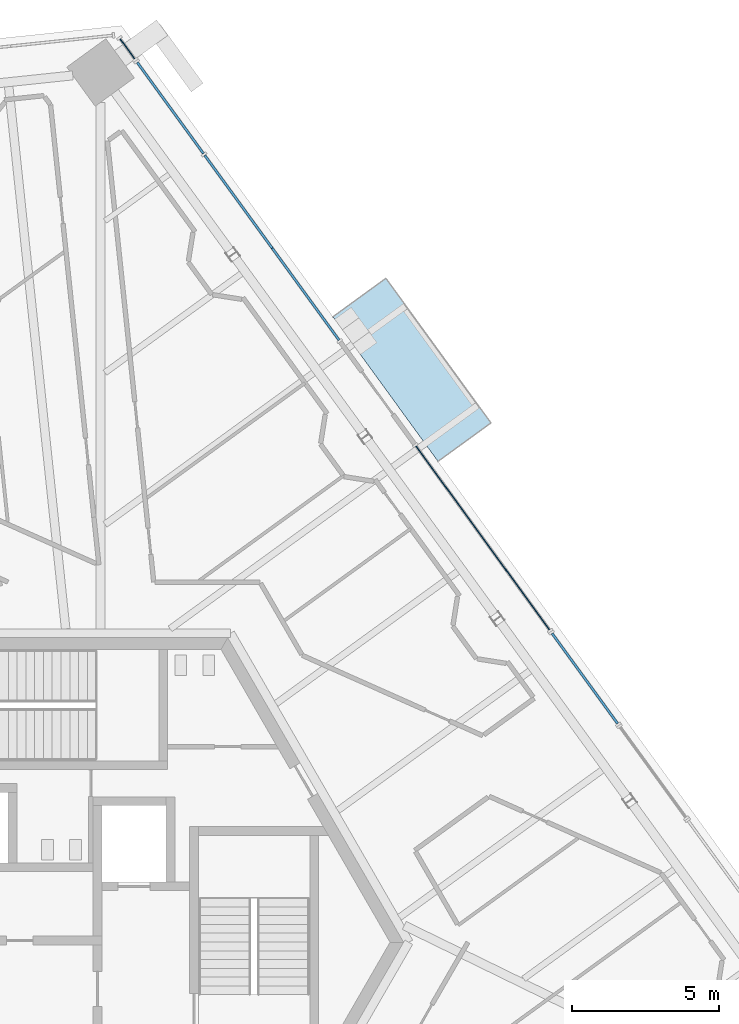
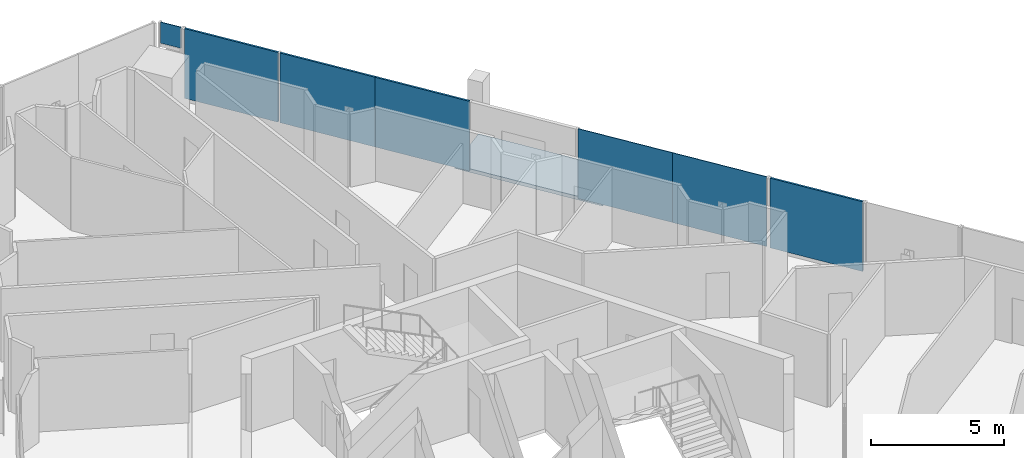
# One storey, part 14 of 26: 7 plates, 1 slab, 4 elements without a shape of their own.
"""IFC4 building model written with IfcOpenShell, lengths in metres."""

from ifc_helpers import new_model, si_unit, direction, frame, origin, origin_2d, place, context, subcontext, project, spatial, polyline, rectangle, outline, extrude, source, transform, mapped, material, layer, layer_set, type_object, element, aggregate, save


model = new_model("IFC4")

# Units and contexts
model_context = context("Model", 3, precision=1e-05, world=origin(), true_north=direction((0.0, 1.0)))
body_context = subcontext(model_context, "Body", "Model", "MODEL_VIEW")
ifc_project = project(units=[si_unit("LENGTHUNIT", "METRE"), si_unit("AREAUNIT", "SQUARE_METRE"), si_unit("VOLUMEUNIT", "CUBIC_METRE"), si_unit("PLANEANGLEUNIT", "RADIAN"), si_unit("MASSUNIT", "GRAM", prefix="KILO")], contexts=[model_context])

# Site, building, storey
site_placement = place(None, origin())
site = spatial("IfcSite", under=ifc_project, at=site_placement, CompositionType="ELEMENT")
building_placement = place(site_placement, origin())
building = spatial("IfcBuilding", under=site, at=building_placement, Name="Triune Harvest Tower", CompositionType="ELEMENT")
storey_placement = place(building_placement, frame((0.0, 0.0, 252.10009765625)))
storey = spatial("IfcBuildingStorey", under=building, at=storey_placement, Name="L66", CompositionType="ELEMENT", Elevation=252.10009765625)

# Slab
ifc_material_1 = material(Name="Concrete 40 MPa", Category="concrete")
ifc_layer_1 = layer(ifc_material_1, 0.159912109375)
ifc_layer_set_1 = layer_set([ifc_layer_1], Name="Concrete 40 MPa")
slab_type = type_object("IfcSlabType", Name="BA-1 balcony slab 160", PredefinedType="FLOOR", material=ifc_layer_set_1)
slab_placement = place(storey_placement, frame((0.0, 0.0, -0.16015625)))
element("IfcSlab", 1, at=slab_placement, inside=storey, type_object=slab_type, Name="Balcony slab B6-F1 L66.8", PredefinedType="FLOOR", context=body_context, shape_type="SweptSolid", body=[
    extrude(outline(polyline([(13.173583984375, 16.41064453125), (9.58837890625, 21.34521484375), (11.39599609375, 22.65869140625), (14.981201171875, 17.72412109375), (13.173583984375, 16.41064453125)])), origin(), (0.0, 0.0, 1.0), 0.16015625),
])

# Curtain wall, plate
ifc_material_2 = material(Name="Aluminium bronze anodised", Category="aluminium")
curtain_wall_type_1 = type_object("IfcCurtainWallType", Name="CW-10 Balcony window wall with insulated spandrel infill", PredefinedType="NOTDEFINED", material=ifc_material_2)
curtain_wall_1_placement = place(storey_placement, origin())
curtain_wall_1 = element("IfcCurtainWall", 2, at=curtain_wall_1_placement, inside=storey, type_object=curtain_wall_type_1, Name="CW-10 B6-F1 L66 run 2201")
ifc_material_3 = material(Name="Insulated spandrel panel, bronze aluminium pan", Category="aluminium")
ifc_layer_2 = layer(ifc_material_3, 0.080078125)
ifc_layer_set_2 = layer_set([ifc_layer_2], Name="Insulated spandrel panel, bronze aluminium pan")
plate_type_1 = type_object("IfcPlateType", Name="SP-1 insulated spandrel panel 80", PredefinedType="CURTAIN_PANEL", material=ifc_layer_set_2)
plate_1_placement = place(storey_placement, frame((18.186279296875, 9.00048828125, 0.14990234375), z_axis=(0.0, 0.0, 1.0), x_axis=(-0.587792593784, 0.809011660418, 0.0)))
plate_1 = element("IfcPlate", 3, at=plate_1_placement, type_object=plate_type_1, Name="CW-10 panel B6-F1 2201.1", PredefinedType="CURTAIN_PANEL", context=body_context, shape_type="SweptSolid", body=[
    extrude(rectangle(XDim=3.802978515625, YDim=0.080078125, at=origin_2d()), origin(), (0.0, 0.0, 1.0), 3.199951171875),
])
aggregate(curtain_wall_1, [plate_1])

# Curtain wall, plates
curtain_wall_2_placement = place(storey_placement, origin())
curtain_wall_2 = element("IfcCurtainWall", 4, at=curtain_wall_2_placement, inside=storey, type_object=curtain_wall_type_1, Name="CW-10 B6-F1 L66 run 2")
plate_2_placement = place(storey_placement, frame((8.65625, 22.11767578125, 0.14990234375), z_axis=(0.0, 0.0, 1.0), x_axis=(-0.587782163197, 0.809019238725, 0.0)))
plate_2 = element("IfcPlate", 5, at=plate_2_placement, type_object=plate_type_1, Name="CW-10 panel B6-F1 2.1", PredefinedType="CURTAIN_PANEL", context=body_context, shape_type="SweptSolid", body=[
    extrude(rectangle(XDim=3.879150390625, YDim=0.080078125, at=origin_2d()), origin(), (0.0, 0.0, 1.0), 3.199951171875),
])
plate_3_placement = place(storey_placement, frame((6.365234375, 25.27099609375, 0.14990234375), z_axis=(0.0, 0.0, 1.0), x_axis=(-0.587782163197, 0.809019238725, 0.0)))
plate_3 = element("IfcPlate", 6, at=plate_3_placement, type_object=plate_type_1, Name="CW-10 panel B6-F1 2.2", PredefinedType="CURTAIN_PANEL", context=body_context, shape_type="SweptSolid", body=[
    extrude(rectangle(XDim=3.916748046875, YDim=0.080078125, at=origin_2d()), origin(), (0.0, 0.0, 1.0), 3.199951171875),
])
plate_4_placement = place(storey_placement, frame((4.041015625, 28.469970703125, 0.14990234375), z_axis=(0.0, 0.0, 1.0), x_axis=(-0.587782163197, 0.809019238725, 0.0)))
plate_4 = element("IfcPlate", 7, at=plate_4_placement, type_object=plate_type_1, Name="CW-10 panel B6-F1 2.3", PredefinedType="CURTAIN_PANEL", context=body_context, shape_type="SweptSolid", body=[
    extrude(rectangle(XDim=3.841552734375, YDim=0.080078125, at=origin_2d()), origin(), (0.0, 0.0, 1.0), 3.199951171875),
])
aggregate(curtain_wall_2, [plate_2, plate_3, plate_4])

ifc_material_4 = material(Name="Aluminium bronze anodised", Category="aluminium")
curtain_wall_type_2 = type_object("IfcCurtainWallType", Name="CW-6 Balcony window wall", PredefinedType="NOTDEFINED", material=ifc_material_4)
curtain_wall_3_placement = place(storey_placement, origin())
curtain_wall_3 = element("IfcCurtainWall", 8, at=curtain_wall_3_placement, inside=storey, type_object=curtain_wall_type_2, Name="CW-6 B6-F1 L66 run 3201")
ifc_material_5 = material(Name="Glass", Category="glass")
ifc_layer_3 = layer(ifc_material_5, 0.030029296875)
ifc_layer_set_3 = layer_set([ifc_layer_3], Name="Glass")
plate_type_2 = type_object("IfcPlateType", Name="GL-6 panel 30", PredefinedType="CURTAIN_PANEL", material=ifc_layer_set_3)
shared_shape_1 = source(origin(), body_context, "Body", "SweptSolid", [
    extrude(rectangle(XDim=3.878173828125, YDim=0.030029296875, at=origin_2d()), origin(), (0.0, 0.0, 1.0), 3.199951171875),
])
plate_5_placement = place(storey_placement, frame((15.8408203125, 12.22900390625, 0.14990234375), z_axis=(0.0, 0.0, 1.0), x_axis=(-0.587784315359, 0.809017675096, 0.0)))
plate_5 = element("IfcPlate", 9, at=plate_5_placement, type_object=plate_type_2, Name="CW-6 panel B6-F1 3201.1", PredefinedType="CURTAIN_PANEL", context=body_context, shape_type="MappedRepresentation", body=[
    mapped(shared_shape_1, transform((0.0, 0.0, 0.0), scale=1.0)),
])
plate_6_placement = place(storey_placement, frame((13.561279296875, 15.366455078125, 0.14990234375), z_axis=(0.0, 0.0, 1.0), x_axis=(-0.587784315359, 0.809017675096, 0.0)))
plate_6 = element("IfcPlate", 10, at=plate_6_placement, type_object=plate_type_2, Name="CW-6 panel B6-F1 3201.2", PredefinedType="CURTAIN_PANEL", context=body_context, shape_type="MappedRepresentation", body=[
    mapped(shared_shape_1, transform((0.0, 0.0, 0.0), scale=1.0)),
])
aggregate(curtain_wall_3, [plate_5, plate_6])

# Curtain wall, plate
curtain_wall_4_placement = place(storey_placement, origin())
curtain_wall_4 = element("IfcCurtainWall", 11, at=curtain_wall_4_placement, inside=storey, type_object=curtain_wall_type_2, Name="CW-6 B6-F1 L66 run 202")
shared_shape_2 = source(origin(), body_context, "Body", "SweptSolid", [
    extrude(rectangle(XDim=0.8466796875, YDim=0.030029296875, at=origin_2d()), origin(), (0.0, 0.0, 1.0), 0.965087890625),
])
plate_7_placement = place(storey_placement, frame((2.574951171875, 30.48779296875, 2.384765625), z_axis=(0.0, 0.0, 1.0), x_axis=(-0.58779582748, 0.809009310946, 0.0)))
plate_7 = element("IfcPlate", 12, at=plate_7_placement, type_object=plate_type_2, Name="CW-6 panel B6-F1 202.1", PredefinedType="CURTAIN_PANEL", context=body_context, shape_type="MappedRepresentation", body=[
    mapped(shared_shape_2, transform((0.0, 0.0, 0.0), scale=1.0)),
])
aggregate(curtain_wall_4, [plate_7])

save(model, "model.ifc")
